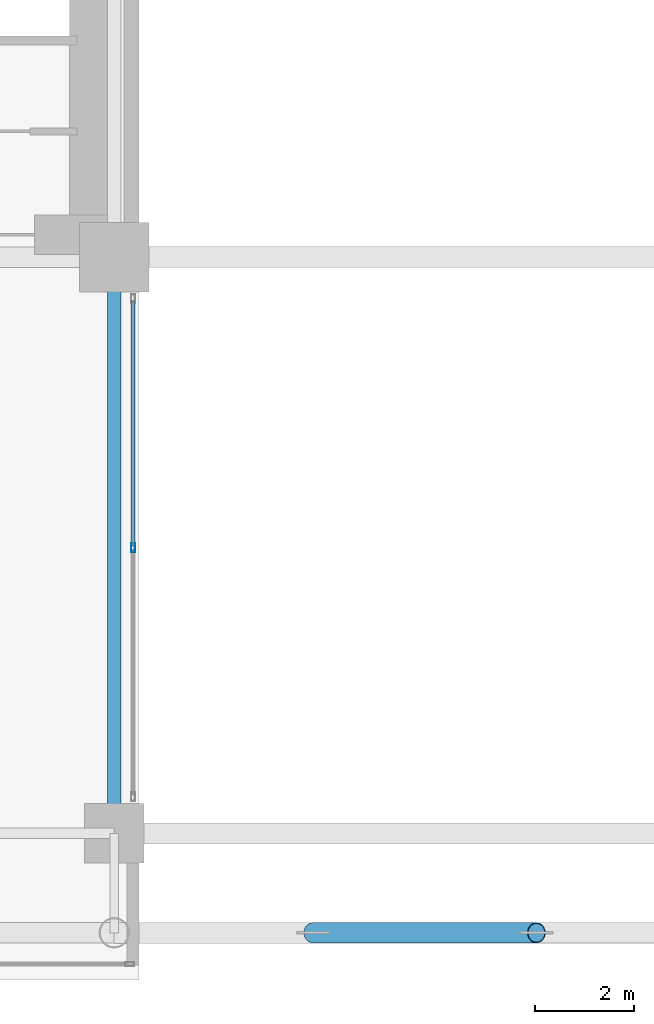
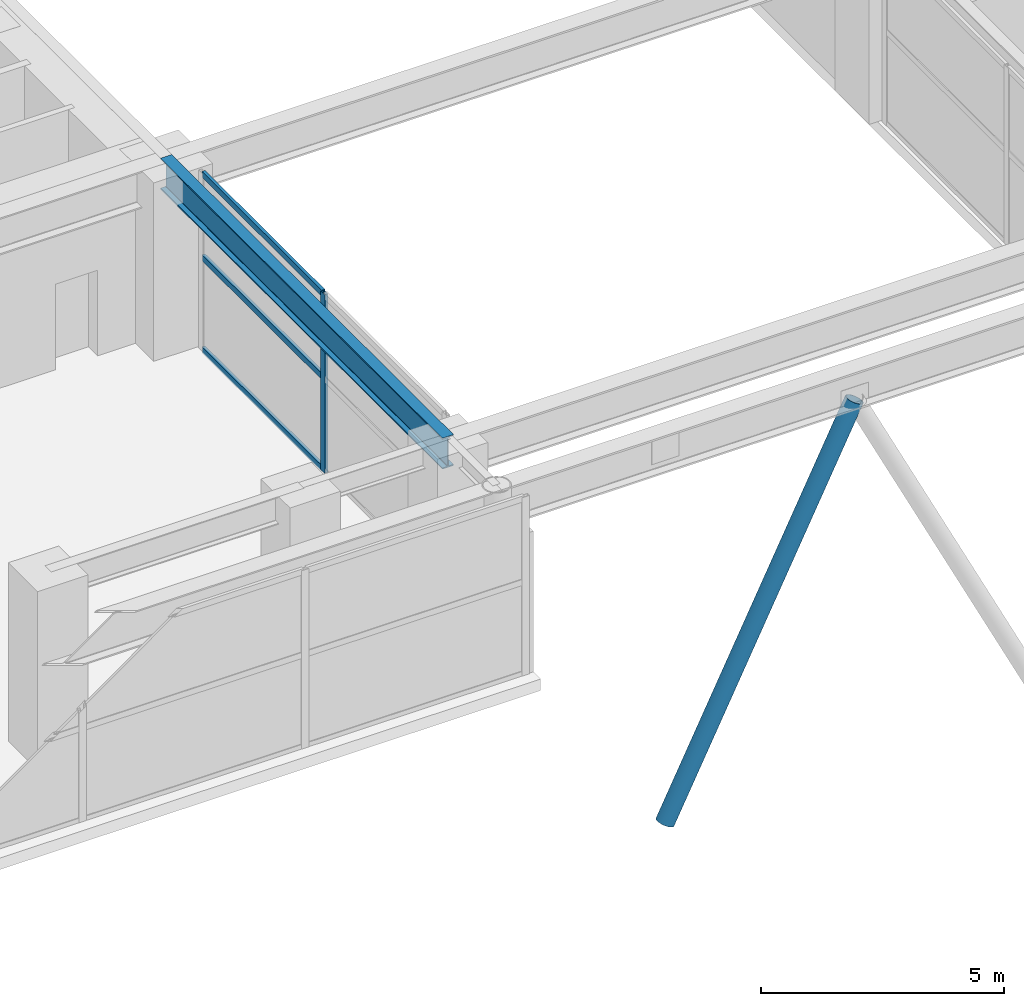
# One storey, part 6 of 30: 5 members, 1 beam, 1 element without a shape of its own.
"""IFC4 building model written with IfcOpenShell, lengths in metres."""

from ifc_helpers import new_model, si_unit, direction, frame, origin, origin_2d, place, context, subcontext, project, spatial, hollow_rectangle, hollow_circle, i_section, extrude, source, transform, mapped, material, layer, layer_set, material_profile, profile_set, type_object, element, aggregate, save


model = new_model("IFC4")

# Units and contexts
model_context = context("Model", 3, precision=1e-05, world=origin(), true_north=direction((0.0, 1.0)))
body_context = subcontext(model_context, "Body", "Model", "MODEL_VIEW")
ifc_project = project(units=[si_unit("LENGTHUNIT", "METRE"), si_unit("AREAUNIT", "SQUARE_METRE"), si_unit("VOLUMEUNIT", "CUBIC_METRE"), si_unit("PLANEANGLEUNIT", "RADIAN"), si_unit("MASSUNIT", "GRAM", prefix="KILO")], contexts=[model_context])

# Site, building, storey
site_placement = place(None, origin())
site = spatial("IfcSite", under=ifc_project, at=site_placement, CompositionType="ELEMENT")
building_placement = place(site_placement, origin())
building = spatial("IfcBuilding", under=site, at=building_placement, Name="Ocotamira Hotel", CompositionType="ELEMENT")
storey_placement = place(building_placement, frame((0.0, 0.0, 19.199951171875)))
storey = spatial("IfcBuildingStorey", under=building, at=storey_placement, Name="L04", CompositionType="ELEMENT", Elevation=19.199951171875)

# Beam
ifc_material_1 = material(Name="Steel ASTM A992 Grade 50", Category="steel")
ifc_material_profile_1 = material_profile(ifc_material_1, i_section(OverallWidth=0.26611328125, OverallDepth=0.779052734375, WebThickness=0.0166015625, FlangeThickness=0.030029296875, FilletRadius=0.01806640625, at=origin_2d()), Name="W30X148")
ifc_profile_set_1 = profile_set([ifc_material_profile_1], Name="Steel ASTM A992 Grade 50")
beam_type = type_object("IfcBeamType", Name="BM-GIRD-W30X148", PredefinedType="BEAM", material=ifc_profile_set_1)
shared_shape_1 = source(origin(), body_context, "Body", "SweptSolid", [
    extrude(i_section(OverallWidth=0.26611328125, OverallDepth=0.779052734375, WebThickness=0.0166015625, FlangeThickness=0.030029296875, FilletRadius=0.01806640625, at=origin_2d()), origin(), (0.0, 0.0, 1.0), 11.60009765625),
])
beam_placement = place(storey_placement, frame((23.5, 2.949951171875, 4.090576171875), z_axis=(0.0, 1.0, 0.0), x_axis=(-1.0, 0.0, 0.0)))
element("IfcBeam", 1, at=beam_placement, inside=storey, type_object=beam_type, Name="L04 Beam X23.5 Y2.95-14.55", PredefinedType="BEAM", context=body_context, shape_type="MappedRepresentation", body=[
    mapped(shared_shape_1, transform((0.0, 0.0, 0.0), scale=1.0)),
])

# Member
ifc_material_2 = material(Name="Pale-metal coated steel ASTM A500 Grade C", Category="steel")
ifc_material_profile_2 = material_profile(ifc_material_2, hollow_circle(Radius=0.202880859375, WallThickness=0.01611328125, at=origin_2d()), Name="CHS406X16")
ifc_profile_set_2 = profile_set([ifc_material_profile_2], Name="Pale-metal coated steel ASTM A500 Grade C")
member_type_1 = type_object("IfcMemberType", Name="MEM-ARCH-CHS406", PredefinedType="CHORD", material=ifc_profile_set_2)
shared_shape_2 = source(origin(), body_context, "Body", "SweptSolid", [
    extrude(hollow_circle(Radius=0.202880859375, WallThickness=0.01611328125, at=origin_2d()), origin(), (0.0, 0.0, 1.0), 10.107177734375),
])
member_1_placement = place(storey_placement, frame((27.5, 0.949951171875, -5.39990234375), z_axis=(0.445231758648, 0.0, 0.895415367911), x_axis=(0.0, 1.0, 0.0)))
element("IfcMember", 2, at=member_1_placement, inside=storey, type_object=member_type_1, Name="Giant Portal Arch Rib S2", PredefinedType="CHORD", context=body_context, shape_type="MappedRepresentation", body=[
    mapped(shared_shape_2, transform((0.0, 0.0, 0.0), scale=1.0)),
])

# Curtain wall, members
ifc_material_3 = material(Name="Anodised pale-metal aluminium and solar glass", Category="aluminium")
ifc_layer = layer(ifc_material_3, 0.219970703125)
ifc_layer_set = layer_set([ifc_layer], Name="Anodised pale-metal aluminium and solar glass")
curtain_wall_type = type_object("IfcCurtainWallType", Name="CW-SYS1-POD", PredefinedType="NOTDEFINED", material=ifc_layer_set)
curtain_wall_placement = place(storey_placement, origin())
curtain_wall = element("IfcCurtainWall", 3, at=curtain_wall_placement, inside=storey, type_object=curtain_wall_type, Name="L04 Curtain Wall CW-1 CW-L04-AW-S", PredefinedType="NOTDEFINED")
ifc_material_4 = material(Name="Anodised pale-metal aluminium 6063-T6", Category="aluminium")
ifc_material_profile_3 = material_profile(ifc_material_4, hollow_rectangle(XDim=0.074951171875, YDim=0.14990234375, WallThickness=0.006103515625, at=origin_2d()), Name="HSS150X75X6")
ifc_profile_set_3 = profile_set([ifc_material_profile_3], Name="Anodised pale-metal aluminium 6063-T6")
member_type_2 = type_object("IfcMemberType", Name="CWT-150X75", PredefinedType="USERDEFINED", material=ifc_profile_set_3)
shared_shape_3 = source(origin(), body_context, "Body", "SweptSolid", [
    extrude(hollow_rectangle(XDim=0.074951171875, YDim=0.14990234375, WallThickness=0.006103515625, at=origin_2d()), origin(), (0.0, 0.0, 1.0), 4.929931640625),
])
member_2_placement = place(storey_placement, frame((23.8798828125, 8.739990234375, 0.03759765625), z_axis=(0.0, 1.0, 0.0), x_axis=(-1.0, 0.0, 0.0)))
member_2 = element("IfcMember", 4, at=member_2_placement, type_object=member_type_2, Name="CW-1 transom 2.1", ObjectType="TRANSOM", PredefinedType="USERDEFINED", context=body_context, shape_type="MappedRepresentation", body=[
    mapped(shared_shape_3, transform((0.0, 0.0, 0.0), scale=1.0)),
])
member_3_placement = place(storey_placement, frame((23.8798828125, 8.739990234375, 2.35009765625), z_axis=(0.0, 1.0, 0.0), x_axis=(-1.0, 0.0, 0.0)))
member_3 = element("IfcMember", 5, at=member_3_placement, type_object=member_type_2, Name="CW-1 transom 2.2", ObjectType="TRANSOM", PredefinedType="USERDEFINED", context=body_context, shape_type="MappedRepresentation", body=[
    mapped(shared_shape_3, transform((0.0, 0.0, 0.0), scale=1.0)),
])
member_4_placement = place(storey_placement, frame((23.8798828125, 8.739990234375, 4.442626953125), z_axis=(0.0, 1.0, 0.0), x_axis=(-1.0, 0.0, 0.0)))
member_4 = element("IfcMember", 6, at=member_4_placement, type_object=member_type_2, Name="CW-1 transom 2.3", ObjectType="TRANSOM", PredefinedType="USERDEFINED", context=body_context, shape_type="MappedRepresentation", body=[
    mapped(shared_shape_3, transform((0.0, 0.0, 0.0), scale=1.0)),
])
ifc_material_profile_4 = material_profile(ifc_material_4, hollow_rectangle(XDim=0.080078125, YDim=0.179931640625, WallThickness=0.006103515625, at=origin_2d()), Name="HSS180X80X6")
ifc_profile_set_4 = profile_set([ifc_material_profile_4], Name="Anodised pale-metal aluminium 6063-T6")
member_type_3 = type_object("IfcMemberType", Name="CWM-180X75", PredefinedType="MULLION", material=ifc_profile_set_4)
shared_shape_4 = source(origin(), body_context, "Body", "SweptSolid", [
    extrude(hollow_rectangle(XDim=0.080078125, YDim=0.179931640625, WallThickness=0.006103515625, at=origin_2d()), origin(), (0.0, 0.0, 1.0), 4.47998046875),
])
member_5_placement = place(storey_placement, frame((23.8798828125, 8.699951171875, 0.0), z_axis=(0.0, 0.0, 1.0), x_axis=(-1.0, 0.0, 0.0)))
member_5 = element("IfcMember", 7, at=member_5_placement, type_object=member_type_3, Name="CW-1 mullion 2", PredefinedType="MULLION", context=body_context, shape_type="MappedRepresentation", body=[
    mapped(shared_shape_4, transform((0.0, 0.0, 0.0), scale=1.0)),
])
aggregate(curtain_wall, [member_5, member_2, member_3, member_4])

save(model, "model.ifc")
